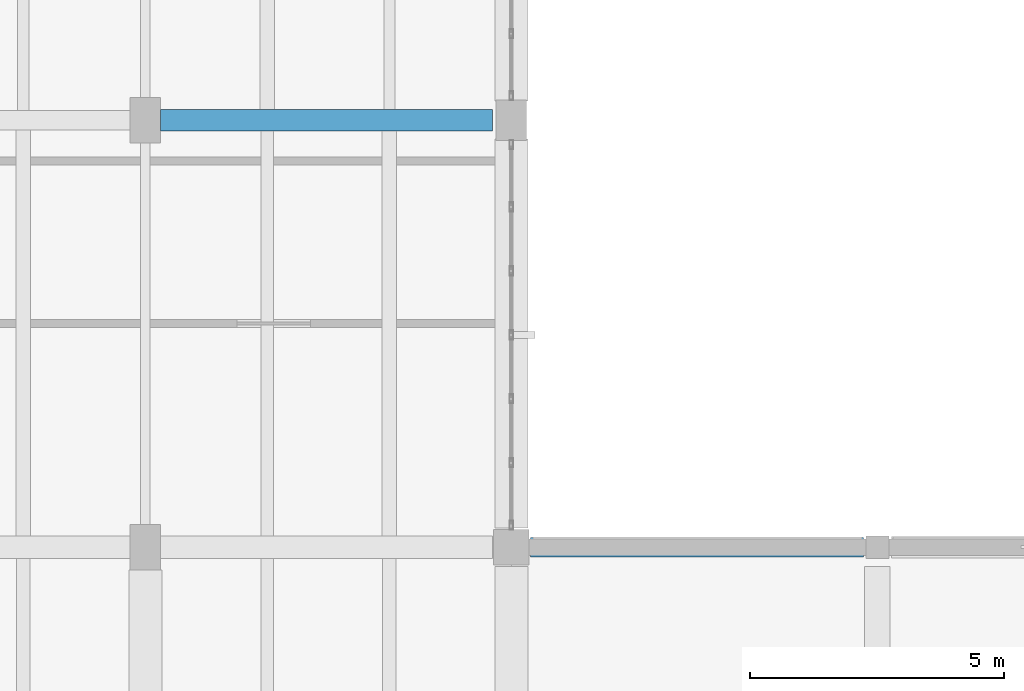
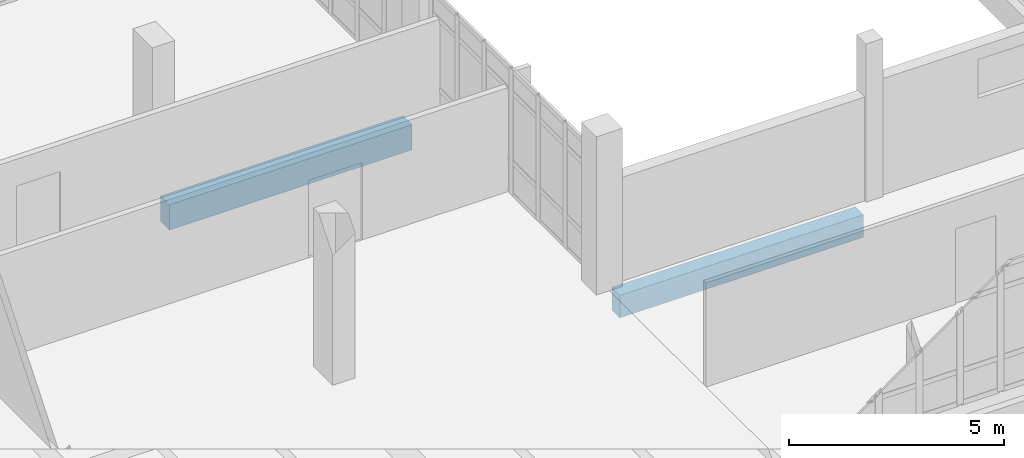
# One storey, part 76 of 134: 2 beams.
"""IFC4 building model written with IfcOpenShell, lengths in metres."""

import ifcopenshell
import ifcopenshell.guid

model = None  # the IFC model being written
_history = None  # IfcOwnerHistory: only IFC2X3 demands one
_inside = {}  # id of a spatial element -> (the spatial element, [elements in it])
_under = {}  # id of a project, library or spatial element -> (it, [spatial elements below it])
_declared = {}  # id of a project -> (the project, [libraries it declares])
_typed = {}  # id of a type object -> (the type object, [elements of that type])
_made_of = {}  # id of a material, layer set ... -> (it, [elements and type objects made of it])


def new_model(schema):
    """Start an empty IFC model of exactly this schema.

    Asked for "IFC4X3", IfcOpenShell would pick the latest addendum, in which some entities
    have other attributes; the version numbers below select the first issue.
    IFC2X3 requires an IfcOwnerHistory on every rooted entity: one is made here for all.
    """
    global model, _history
    if schema == "IFC4X3":
        model = ifcopenshell.file(schema_version=(4, 3, 0, 0))
    else:
        model = ifcopenshell.file(schema=schema)
    _inside.clear()
    _under.clear()
    _declared.clear()
    _typed.clear()
    _made_of.clear()
    _history = None
    if model.schema == "IFC2X3":
        org = make("IfcOrganization", Name="unknown")
        user = make(
            "IfcPersonAndOrganization",
            ThePerson=make("IfcPerson", FamilyName="unknown"),
            TheOrganization=org,
        )
        app = make(
            "IfcApplication",
            ApplicationDeveloper=org,
            Version="unknown",
            ApplicationFullName="unknown",
            ApplicationIdentifier="unknown",
        )
        _history = make(
            "IfcOwnerHistory",
            OwningUser=user,
            OwningApplication=app,
            ChangeAction="ADDED",
            CreationDate=0,
        )
    return model


def make(cls, **values):
    """One entity of the class cls with the attributes given. An attribute that is None is left unset."""
    return model.create_entity(
        cls, **{name: value for name, value in values.items() if value is not None}
    )


def rooted(cls, **values):
    """An entity with a GlobalId (a new one), such as an element, a storey or a relation."""
    return make(cls, GlobalId=ifcopenshell.guid.new(), OwnerHistory=_history, **values)


def si_unit(unit_type, name, prefix=None):
    """IfcSIUnit, for example si_unit("LENGTHUNIT", "METRE", prefix="MILLI")."""
    return make("IfcSIUnit", UnitType=unit_type, Prefix=prefix, Name=name)


def assignment(units):
    """IfcUnitAssignment: the units of a project."""
    return None if units is None else make("IfcUnitAssignment", Units=units)


def point(xyz):
    """IfcCartesianPoint."""
    return None if xyz is None else make("IfcCartesianPoint", Coordinates=xyz)


def direction(xyz):
    """IfcDirection."""
    return None if xyz is None else make("IfcDirection", DirectionRatios=xyz)


def frame(location, z_axis=None, x_axis=None):
    """IfcAxis2Placement3D, a coordinate frame: its origin and axes. An axis left out is left unset."""
    return make(
        "IfcAxis2Placement3D",
        Location=point(location),
        Axis=direction(z_axis),
        RefDirection=direction(x_axis),
    )


def frame_2d(location, x_axis=None):
    """IfcAxis2Placement2D, a coordinate frame in the plane: its origin and x axis."""
    return make(
        "IfcAxis2Placement2D", Location=point(location), RefDirection=direction(x_axis)
    )


def origin():
    """The frame at (0, 0, 0) with its axes left unset."""
    return frame((0.0, 0.0, 0.0))


def origin_2d():
    """The frame at (0, 0) in the plane with its x axis left unset."""
    return frame_2d((0.0, 0.0))


def place(relative_to, where):
    """IfcLocalPlacement: puts the frame where relative to a parent placement (None: the world)."""
    return make(
        "IfcLocalPlacement", PlacementRelTo=relative_to, RelativePlacement=where
    )


def context(
    kind, dimensions, precision=None, world=None, true_north=None, identifier=None
):
    """IfcGeometricRepresentationContext, for example the 3D "Model" context."""
    return make(
        "IfcGeometricRepresentationContext",
        ContextIdentifier=identifier,
        ContextType=kind,
        CoordinateSpaceDimension=dimensions,
        Precision=precision,
        WorldCoordinateSystem=world,
        TrueNorth=true_north,
    )


def subcontext(parent, identifier, kind, view, scale=None):
    """IfcGeometricRepresentationSubContext, for example "Body" below "Model"."""
    return make(
        "IfcGeometricRepresentationSubContext",
        ContextIdentifier=identifier,
        ContextType=kind,
        ParentContext=parent,
        TargetScale=scale,
        TargetView=view,
    )


def project(units=None, contexts=None):
    """IfcProject with its units and contexts."""
    return rooted(
        "IfcProject",
        Name="project",
        RepresentationContexts=contexts,
        UnitsInContext=assignment(units),
    )


def spatial(cls, under=None, at=None, **own):
    """A site, building, storey or space (cls), placed at a placement, below another one or the project."""
    s = rooted(cls, ObjectPlacement=at, **own)
    if under is not None:
        _under.setdefault(under.id(), (under, []))[1].append(s)
    return s


def profile(cls, at=None, kind="AREA", **sizes):
    """A parametric profile (cls). Its sizes go by their IFC names, for example OverallWidth=200.0."""
    return make(cls, ProfileType=kind, Position=at, **sizes)


def rectangle(**sizes):
    """IfcRectangleProfileDef."""
    return profile("IfcRectangleProfileDef", **sizes)


def extrude(swept, where, along, depth):
    """IfcExtrudedAreaSolid: the profile swept, set in the frame where, extruded along a direction by depth."""
    return make(
        "IfcExtrudedAreaSolid",
        SweptArea=swept,
        Position=where,
        ExtrudedDirection=direction(along),
        Depth=depth,
    )


def shape(context_of_items, identifier, shape_type, items):
    """IfcShapeRepresentation: the items that make up one representation, for example the "Body"."""
    return make(
        "IfcShapeRepresentation",
        ContextOfItems=context_of_items,
        RepresentationIdentifier=identifier,
        RepresentationType=shape_type,
        Items=items,
    )


def material(Name=None, Category=None):
    """IfcMaterial."""
    return make("IfcMaterial", Name=Name, Category=Category)


def material_profile(
    of_material, cross_section, Name=None, Category=None, Priority=None
):
    """IfcMaterialProfile: a cross section and its material."""
    return make(
        "IfcMaterialProfile",
        Name=Name,
        Material=of_material,
        Profile=cross_section,
        Priority=Priority,
        Category=Category,
    )


def profile_set(profiles, Name=None, composite=None):
    """IfcMaterialProfileSet."""
    return make(
        "IfcMaterialProfileSet",
        Name=Name,
        MaterialProfiles=profiles,
        CompositeProfile=composite,
    )


def made_of(thing, what):
    """Note that an element or type object is made of a material, layer set ...; save() writes the relation."""
    if what is not None:
        _made_of.setdefault(what.id(), (what, []))[1].append(thing)
    return thing


def type_object(cls, material=None, **own):
    """A type object (cls), such as IfcWallType, which elements share."""
    return made_of(rooted(cls, **own), material)


def element(
    cls,
    number,
    at=None,
    inside=None,
    cuts=None,
    type_object=None,
    material=None,
    context=None,
    identifier="Body",
    shape_type=None,
    held_by="IfcProductDefinitionShape",
    body=None,
    shapes=None,
    **own,
):
    """One element of the class cls, such as IfcWall. Its Tag is "e" and its number.

    at: its placement. inside: the storey or other place that contains it. cuts: it is an
    opening in that element (IfcRelVoidsElement). A single representation is given by context,
    identifier, shape_type and body (its items); several are given by shapes. held_by: the class
    of the entity that holds the representations. save() writes the other relations.
    """
    e = rooted(cls, Tag="e%d" % number, ObjectPlacement=at, **own)
    if body is not None:
        shapes = [shape(context, identifier, shape_type, body)]
    if shapes is not None:
        e.Representation = make(held_by, Representations=shapes)
    if inside is not None:
        _inside.setdefault(inside.id(), (inside, []))[1].append(e)
    if cuts is not None:
        rooted(
            "IfcRelVoidsElement", RelatingBuildingElement=cuts, RelatedOpeningElement=e
        )
    if type_object is not None:
        _typed.setdefault(type_object.id(), (type_object, []))[1].append(e)
    return made_of(e, material)


def aggregate(whole, parts):
    """IfcRelAggregates: a whole, such as a stair, and the parts it consists of."""
    return rooted("IfcRelAggregates", RelatingObject=whole, RelatedObjects=parts)


def save(model, path):
    """Write the relations noted so far, then the file.

    IfcRelAggregates (storeys below a building ...), IfcRelContainedInSpatialStructure (elements
    in a storey), IfcRelDefinesByType, IfcRelAssociatesMaterial and IfcRelDeclares: one each for
    every whole, place, type object, material and project.
    """
    for whole, parts in _under.values():
        aggregate(whole, parts)
    for where, things in _inside.values():
        rooted(
            "IfcRelContainedInSpatialStructure",
            RelatedElements=things,
            RelatingStructure=where,
        )
    for kind, things in _typed.values():
        rooted("IfcRelDefinesByType", RelatedObjects=things, RelatingType=kind)
    for what, things in _made_of.values():
        rooted("IfcRelAssociatesMaterial", RelatedObjects=things, RelatingMaterial=what)
    for by, libraries in _declared.values():
        rooted("IfcRelDeclares", RelatingContext=by, RelatedDefinitions=libraries)
    model.write(path)


model = new_model("IFC4")

# Units and contexts
model_context = context("Model", 3, precision=1e-05, world=origin(), true_north=direction((0.0, 1.0)))
body_context = subcontext(model_context, "Body", "Model", "MODEL_VIEW")
ifc_project = project(units=[si_unit("LENGTHUNIT", "METRE"), si_unit("AREAUNIT", "SQUARE_METRE"), si_unit("VOLUMEUNIT", "CUBIC_METRE"), si_unit("PLANEANGLEUNIT", "RADIAN"), si_unit("MASSUNIT", "GRAM", prefix="KILO")], contexts=[model_context])

# Site, building, storey
site_placement = place(None, origin())
site = spatial("IfcSite", under=ifc_project, at=site_placement, CompositionType="ELEMENT")
building_placement = place(site_placement, origin())
building = spatial("IfcBuilding", under=site, at=building_placement, Name="Kalluvel Institute of Natural Sciences", CompositionType="ELEMENT")
storey_placement = place(building_placement, frame((0.0, 0.0, 5.39990234375)))
storey = spatial("IfcBuildingStorey", under=building, at=storey_placement, Name="L01", CompositionType="ELEMENT", Elevation=5.39990234375)

# Beams
ifc_material = material(Name="Concrete M40", Category="concrete")
ifc_material_profile_1 = material_profile(ifc_material, rectangle(XDim=0.3798828125, YDim=0.639892578125, at=origin_2d()), Name="RCB 380x640")
ifc_profile_set_1 = profile_set([ifc_material_profile_1], Name="Concrete M40")
beam_type_1 = type_object("IfcBeamType", Name="BM-RC380x640", PredefinedType="BEAM", material=ifc_profile_set_1)
beam_1_placement = place(storey_placement, frame((115.175048828125, 111.199951171875, -0.679931640625), z_axis=(1.0, 0.0, 0.0), x_axis=(0.0, 1.0, 0.0)))
element("IfcBeam", 1, at=beam_1_placement, inside=storey, type_object=beam_type_1, Name="L01 girder GIR-L01-EW-X1148-Y1112", PredefinedType="BEAM", context=body_context, shape_type="SweptSolid", body=[
    extrude(rectangle(XDim=0.3798828125, YDim=0.639892578125, at=origin_2d()), origin(), (0.0, 0.0, 1.0), 6.550048828125),
])
ifc_material_profile_2 = material_profile(ifc_material, rectangle(XDim=0.419921875, YDim=0.719970703125, at=origin_2d()), Name="RCB 420x720")
ifc_profile_set_2 = profile_set([ifc_material_profile_2], Name="Concrete M40")
beam_type_2 = type_object("IfcBeamType", Name="BM-RC420x720", PredefinedType="BEAM", material=ifc_profile_set_2)
beam_2_placement = place(storey_placement, frame((107.89990234375, 119.60009765625, -0.679931640625), z_axis=(1.0, 0.0, 0.0), x_axis=(0.0, 1.0, 0.0)))
element("IfcBeam", 2, at=beam_2_placement, inside=storey, type_object=beam_type_2, Name="L01 girder GIR-L01-EW-X1076-Y1196", PredefinedType="BEAM", context=body_context, shape_type="SweptSolid", body=[
    extrude(rectangle(XDim=0.419921875, YDim=0.719970703125, at=origin_2d()), origin(), (0.0, 0.0, 1.0), 6.525146484375),
])

save(model, "model.ifc")
